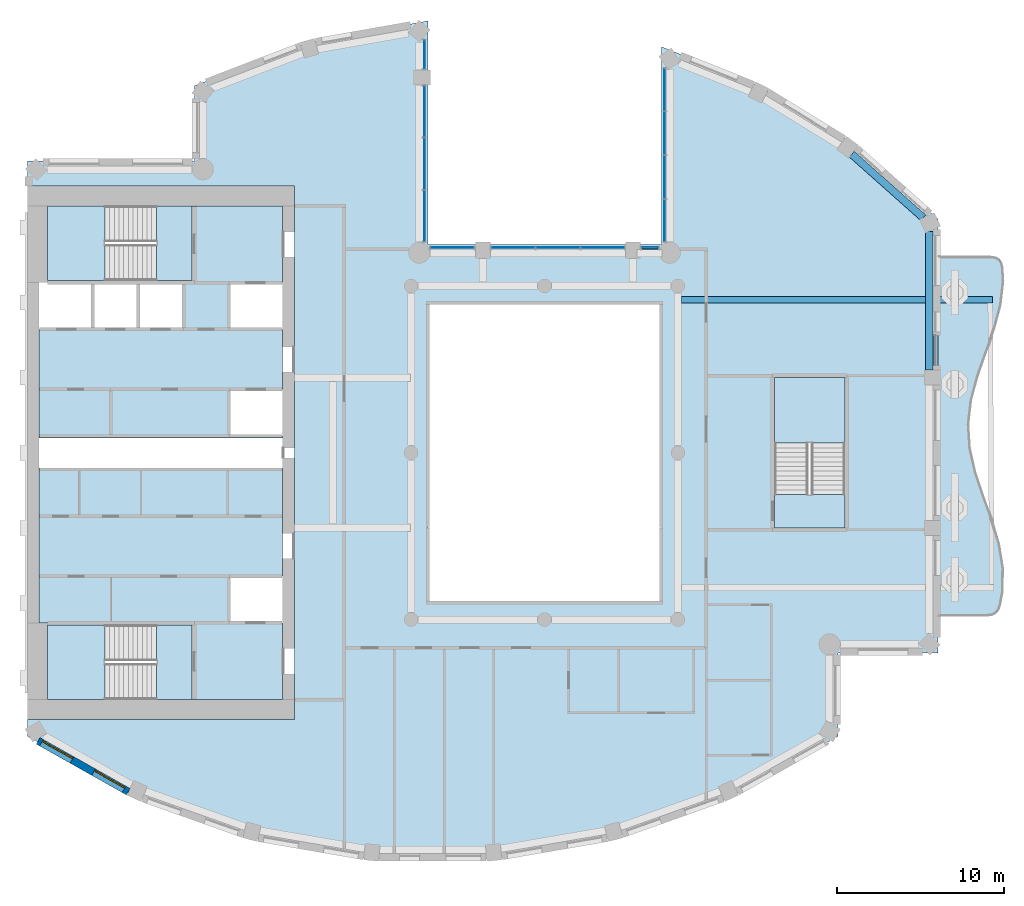
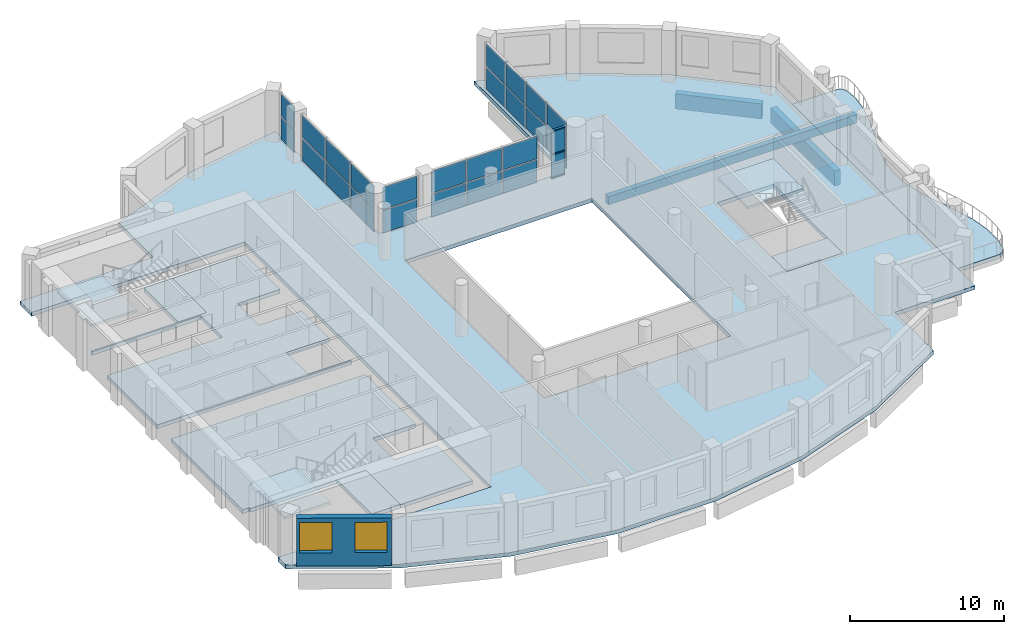
# One storey, part 3 of 14: 26 plates, 10 slabs, 3 beams, 3 members, 2 windows, 1 wall, 2 openings, 9 elements without a shape of their own.
"""IFC4 building model written with IfcOpenShell, lengths in metres."""

from ifc_helpers import new_model, si_unit, direction, frame, frame_2d, origin, origin_2d, place, context, subcontext, project, spatial, polyline, rectangle, outline, extrude, material, layer, layer_set, material_profile, profile_set, type_object, element, fill, aggregate, save


model = new_model("IFC4")

# Units and contexts
model_context = context("Model", 3, precision=1e-05, world=origin(), true_north=direction((0.0, 1.0)))
body_context = subcontext(model_context, "Body", "Model", "MODEL_VIEW")
ifc_project = project(units=[si_unit("LENGTHUNIT", "METRE"), si_unit("AREAUNIT", "SQUARE_METRE"), si_unit("VOLUMEUNIT", "CUBIC_METRE"), si_unit("PLANEANGLEUNIT", "RADIAN"), si_unit("MASSUNIT", "GRAM", prefix="KILO")], contexts=[model_context])

# Site, building, storey
site_placement = place(None, origin())
site = spatial("IfcSite", under=ifc_project, at=site_placement, CompositionType="ELEMENT")
building_placement = place(site_placement, origin())
building = spatial("IfcBuilding", under=site, at=building_placement, Name="Cypress Arch Tower", CompositionType="ELEMENT")
storey_placement = place(building_placement, frame((0.0, 0.0, 268.0)))
storey = spatial("IfcBuildingStorey", under=building, at=storey_placement, Name="L60", CompositionType="ELEMENT", Elevation=268.0)

# Beams
ifc_material_1 = material(Name="Concrete C50/60", Category="concrete")
ifc_material_profile_1 = material_profile(ifc_material_1, rectangle(XDim=0.39990234375, YDim=0.64990234375, at=origin_2d()), Name="RC 400x650")
ifc_profile_set_1 = profile_set([ifc_material_profile_1], Name="Concrete C50/60")
beam_type_1 = type_object("IfcBeamType", Name="Cantilever beam RC 400x650 Concrete C50/60", PredefinedType="BEAM", material=ifc_profile_set_1)
beam_1_placement = place(storey_placement, frame((9.22509765625, 9.1826171875, -0.625), z_axis=(1.0, 0.0, 0.0), x_axis=(0.0, 1.0, 0.0)))
element("IfcBeam", 1, at=beam_1_placement, inside=storey, type_object=beam_type_1, Name="Cantilever beam L60 C17 2", PredefinedType="BEAM", context=body_context, shape_type="SweptSolid", body=[
    extrude(rectangle(XDim=0.39990234375, YDim=0.64990234375, at=origin_2d()), origin(), (0.0, 0.0, 1.0), 18.645751953125),
])
ifc_material_2 = material(Name="Concrete C50/60", Category="concrete")
ifc_material_profile_2 = material_profile(ifc_material_2, rectangle(XDim=0.449951171875, YDim=1.199951171875, at=origin_2d()), Name="RC 450x1200")
ifc_profile_set_2 = profile_set([ifc_material_profile_2], Name="Concrete C50/60")
beam_type_2 = type_object("IfcBeamType", Name="Spandrel beam RC 450x1200 Concrete C50/60", PredefinedType="SPANDREL", material=ifc_profile_set_2)
beam_2_placement = place(storey_placement, frame((24.074951171875, 4.949951171875, -1.550048828125), z_axis=(0.0, 1.0, 0.0), x_axis=(-1.0, 0.0, 0.0)))
element("IfcBeam", 2, at=beam_2_placement, inside=storey, type_object=beam_type_2, Name="Spandrel beam L60 BC17-2", PredefinedType="SPANDREL", context=body_context, shape_type="SweptSolid", body=[
    extrude(rectangle(XDim=0.449951171875, YDim=1.199951171875, at=origin_2d()), origin(), (0.0, 0.0, 1.0), 8.32080078125),
])
beam_3_placement = place(storey_placement, frame((23.706298828125, 14.091796875, -1.550048828125), z_axis=(-0.747555073917, 0.664199827959, 0.0), x_axis=(-0.664199827959, -0.747555073917, 0.0)))
element("IfcBeam", 3, at=beam_3_placement, inside=storey, type_object=beam_type_2, Name="Spandrel beam L60 BC18-0", PredefinedType="SPANDREL", context=body_context, shape_type="SweptSolid", body=[
    extrude(rectangle(XDim=0.449951171875, YDim=1.199951171875, at=origin_2d()), origin(), (0.0, 0.0, 1.0), 5.72900390625),
])

# Curtain wall, members
ifc_material_3 = material(Name="Anodised aluminium, bronze finish, clear laminated double glazing", Category="aluminium")
curtain_wall_type = type_object("IfcCurtainWallType", Name="Curtain wall CW7 slot glazing", PredefinedType="NOTDEFINED", material=ifc_material_3)
curtain_wall_1_placement = place(storey_placement, origin())
curtain_wall_1 = element("IfcCurtainWall", 4, at=curtain_wall_1_placement, inside=storey, type_object=curtain_wall_type, Name="Curtain wall L60 slot C01.0", PredefinedType="NOTDEFINED")
ifc_material_4 = material(Name="Anodised aluminium, bronze finish", Category="aluminium")
ifc_material_profile_3 = material_profile(ifc_material_4, rectangle(XDim=0.179931640625, YDim=0.0849609375, at=origin_2d()), Name="Transom 85x180")
ifc_profile_set_3 = profile_set([ifc_material_profile_3], Name="Anodised aluminium, bronze finish")
member_type = type_object("IfcMemberType", Name="Transom CW7 85x180", PredefinedType="USERDEFINED", material=ifc_profile_set_3)
member_1_placement = place(storey_placement, frame((7.8134765625, 12.300048828125, 0.04248046875), z_axis=(-1.0, 0.0, 0.0), x_axis=(0.0, -1.0, 0.0)))
member_1 = element("IfcMember", 5, at=member_1_placement, type_object=member_type, Name="CW7 transom 1.1", ObjectType="TRANSOM", PredefinedType="USERDEFINED", context=body_context, shape_type="SweptSolid", body=[
    extrude(rectangle(XDim=0.179931640625, YDim=0.0849609375, at=origin_2d()), origin(), (0.0, 0.0, 1.0), 0.978515625),
])
member_2_placement = place(storey_placement, frame((7.8134765625, 12.300048828125, 1.89990234375), z_axis=(-1.0, 0.0, 0.0), x_axis=(0.0, -1.0, 0.0)))
member_2 = element("IfcMember", 6, at=member_2_placement, type_object=member_type, Name="CW7 transom 1.2", ObjectType="TRANSOM", PredefinedType="USERDEFINED", context=body_context, shape_type="SweptSolid", body=[
    extrude(rectangle(XDim=0.179931640625, YDim=0.0849609375, at=origin_2d()), origin(), (0.0, 0.0, 1.0), 0.978515625),
])
member_3_placement = place(storey_placement, frame((7.8134765625, 12.300048828125, 3.757568359375), z_axis=(-1.0, 0.0, 0.0), x_axis=(0.0, -1.0, 0.0)))
member_3 = element("IfcMember", 7, at=member_3_placement, type_object=member_type, Name="CW7 transom 1.3", ObjectType="TRANSOM", PredefinedType="USERDEFINED", context=body_context, shape_type="SweptSolid", body=[
    extrude(rectangle(XDim=0.179931640625, YDim=0.0849609375, at=origin_2d()), origin(), (0.0, 0.0, 1.0), 0.978515625),
])

# Slabs
ifc_material_5 = material(Name="Concrete C40/50", Category="concrete")
ifc_layer_1 = layer(ifc_material_5, 0.300048828125)
ifc_layer_set_1 = layer_set([ifc_layer_1], Name="Balcony slab BS300")
slab_type_1 = type_object("IfcSlabType", Name="Balcony slab BS300", PredefinedType="USERDEFINED", material=ifc_layer_set_1)
slab_1_placement = place(storey_placement, frame((0.0, 0.0, -0.300048828125)))
element("IfcSlab", 8, at=slab_1_placement, inside=storey, type_object=slab_type_1, Name="Balcony slab L60-C17", ObjectType="BALCONY SLAB", PredefinedType="USERDEFINED", context=body_context, shape_type="SweptSolid", body=[
    extrude(outline(polyline([(24.60009765625, -9.75), (27.53662109375, -9.75), (27.8310546875, -9.709716796875), (28.058349609375, -9.5888671875), (28.218505859375, -9.38720703125), (28.311767578125, -9.10498046875), (28.45751953125, -8.316650390625), (28.475830078125, -6.88330078125), (28.242431640625, -5.449951171875), (27.81494140625, -4.0166015625), (27.2978515625, -2.583251953125), (26.818115234375, -1.14990234375), (26.4931640625, 0.283447265625), (26.403076171875, 1.716552734375), (26.5693359375, 3.14990234375), (26.95166015625, 4.583251953125), (27.4560546875, 6.0166015625), (27.958984375, 7.449951171875), (28.337158203125, 8.88330078125), (28.497802734375, 10.316650390625), (28.44482421875, 11.10498046875), (28.385498046875, 11.38720703125), (28.250732421875, 11.5888671875), (28.040771484375, 11.709716796875), (27.755126953125, 11.75), (24.60009765625, 11.75), (24.60009765625, -9.75)])), origin(), (0.0, 0.0, 1.0), 0.300048828125),
])
ifc_material_6 = material(Name="Concrete C40/50", Category="concrete")
ifc_layer_2 = layer(ifc_material_6, 0.300048828125)
ifc_layer_set_2 = layer_set([ifc_layer_2], Name="Core floor CF300")
slab_type_2 = type_object("IfcSlabType", Name="Core floor CF300", PredefinedType="FLOOR", material=ifc_layer_set_2)
slab_2_placement = place(storey_placement, frame((0.0, 0.0, -0.300048828125)))
element("IfcSlab", 9, at=slab_2_placement, inside=storey, type_object=slab_type_2, Name="Core floor", PredefinedType="FLOOR", context=body_context, shape_type="SweptSolid", body=[
    extrude(outline(polyline([(-28.89990234375, -10.199951171875), (-29.300048828125, -10.199951171875), (-29.300048828125, -0.89990234375), (-28.89990234375, -0.89990234375), (-15.10009765625, -0.89990234375), (-14.699951171875, -0.89990234375), (-14.699951171875, -7.39990234375), (-15.10009765625, -7.39990234375), (-17.919921875, -7.39990234375), (-17.919921875, -10.199951171875), (-15.10009765625, -10.199951171875), (-14.699951171875, -10.199951171875), (-14.699951171875, -14.800048828125), (-15.10009765625, -14.800048828125), (-20.125, -14.800048828125), (-20.125, -10.324951171875), (-22.27490234375, -10.324951171875), (-28.800048828125, -10.324951171875), (-28.800048828125, -10.199951171875), (-28.89990234375, -10.199951171875)])), origin(), (0.0, 0.0, 1.0), 0.300048828125),
])
slab_3_placement = place(storey_placement, frame((0.0, 0.0, -0.300048828125)))
element("IfcSlab", 10, at=slab_3_placement, inside=storey, type_object=slab_type_2, Name="Core floor", PredefinedType="FLOOR", context=body_context, shape_type="SweptSolid", body=[
    extrude(outline(polyline([(-22.27490234375, -10.324951171875), (-22.27490234375, -14.800048828125), (-20.125, -14.800048828125), (-20.125, -10.324951171875), (-22.27490234375, -10.324951171875)])), origin(), (0.0, 0.0, 1.0), 0.300048828125),
])
slab_4_placement = place(storey_placement, frame((0.0, 0.0, -0.300048828125)))
element("IfcSlab", 11, at=slab_4_placement, inside=storey, type_object=slab_type_2, Name="Core floor", PredefinedType="FLOOR", context=body_context, shape_type="SweptSolid", body=[
    extrude(outline(polyline([(-20.125, 14.800048828125), (-22.27490234375, 14.800048828125), (-22.27490234375, 10.324951171875), (-20.125, 10.324951171875), (-20.125, 14.800048828125)])), origin(), (0.0, 0.0, 1.0), 0.300048828125),
])
slab_5_placement = place(storey_placement, frame((0.0, 0.0, -0.300048828125)))
element("IfcSlab", 12, at=slab_5_placement, inside=storey, type_object=slab_type_2, Name="Stair floor landing", PredefinedType="FLOOR", context=body_context, shape_type="SweptSolid", body=[
    extrude(outline(polyline([(19.0, -4.5), (19.0, -2.5), (14.800048828125, -2.5), (14.800048828125, -4.5), (19.0, -4.5)])), origin(), (0.0, 0.0, 1.0), 0.300048828125),
])
slab_6_placement = place(storey_placement, frame((0.0, 0.0, -0.300048828125)))
element("IfcSlab", 13, at=slab_6_placement, inside=storey, type_object=slab_type_2, Name="Core floor", PredefinedType="FLOOR", context=body_context, shape_type="SweptSolid", body=[
    extrude(outline(polyline([(-20.639892578125, 10.199951171875), (-23.360107421875, 10.199951171875), (-26.080078125, 10.199951171875), (-28.800048828125, 10.199951171875), (-28.800048828125, 10.324951171875), (-22.27490234375, 10.324951171875), (-20.125, 10.324951171875), (-20.125, 14.800048828125), (-15.10009765625, 14.800048828125), (-14.699951171875, 14.800048828125), (-14.699951171875, 10.199951171875), (-15.10009765625, 10.199951171875), (-17.919921875, 10.199951171875), (-17.919921875, 7.39990234375), (-15.10009765625, 7.39990234375), (-14.699951171875, 7.39990234375), (-14.699951171875, 3.800048828125), (-15.10009765625, 3.800048828125), (-17.919921875, 3.800048828125), (-17.919921875, 1.5), (-17.919921875, 1.0), (-17.5, 1.0), (-15.10009765625, 1.0), (-14.699951171875, 1.0), (-14.699951171875, 0.89990234375), (-15.10009765625, 0.89990234375), (-17.5, 0.89990234375), (-18.300048828125, 0.89990234375), (-28.89990234375, 0.89990234375), (-29.300048828125, 0.89990234375), (-29.300048828125, 1.5), (-29.300048828125, 7.39990234375), (-28.89990234375, 7.39990234375), (-26.080078125, 7.39990234375), (-23.360107421875, 7.39990234375), (-20.639892578125, 7.39990234375), (-20.639892578125, 10.199951171875)])), origin(), (0.0, 0.0, 1.0), 0.300048828125),
])

# Curtain wall, plates
curtain_wall_2_placement = place(storey_placement, origin())
curtain_wall_2 = element("IfcCurtainWall", 14, at=curtain_wall_2_placement, inside=storey, type_object=curtain_wall_type, Name="Curtain wall L60 slot C00.0", PredefinedType="NOTDEFINED")
ifc_material_7 = material(Name="Clear laminated double glazing", Category="glass")
ifc_layer_3 = layer(ifc_material_7, 0.0439453125)
ifc_layer_set_3 = layer_set([ifc_layer_3], Name="Glass panel CW7 44")
plate_type = type_object("IfcPlateType", Name="Glass panel CW7 44", PredefinedType="CURTAIN_PANEL", material=ifc_layer_set_3)
plate_1_placement = place(storey_placement, frame((8.199951171875, 21.768798828125, 0.0849609375), z_axis=(0.0, 0.0, 1.0), x_axis=(0.0, -1.0, 0.0)))
plate_1 = element("IfcPlate", 15, at=plate_1_placement, type_object=plate_type, Name="CW7 panel 1.1", PredefinedType="CURTAIN_PANEL", context=body_context, shape_type="SweptSolid", body=[
    extrude(rectangle(XDim=2.497802734375, YDim=0.0439453125, at=origin_2d()), origin(), (0.0, 0.0, 1.0), 1.7724609375),
])
plate_2_placement = place(storey_placement, frame((8.199951171875, 21.768798828125, 1.942626953125), z_axis=(0.0, 0.0, 1.0), x_axis=(0.0, -1.0, 0.0)))
plate_2 = element("IfcPlate", 16, at=plate_2_placement, type_object=plate_type, Name="CW7 panel 1.2", PredefinedType="CURTAIN_PANEL", context=body_context, shape_type="SweptSolid", body=[
    extrude(rectangle(XDim=2.497802734375, YDim=0.0439453125, at=origin_2d()), origin(), (0.0, 0.0, 1.0), 1.7724609375),
])
plate_3_placement = place(storey_placement, frame((8.199951171875, 19.164794921875, 0.0849609375), z_axis=(0.0, 0.0, 1.0), x_axis=(0.0, -1.0, 0.0)))
plate_3 = element("IfcPlate", 17, at=plate_3_placement, type_object=plate_type, Name="CW7 panel 2.1", PredefinedType="CURTAIN_PANEL", context=body_context, shape_type="SweptSolid", body=[
    extrude(rectangle(XDim=2.540283203125, YDim=0.0439453125, at=origin_2d()), origin(), (0.0, 0.0, 1.0), 1.7724609375),
])
plate_4_placement = place(storey_placement, frame((8.199951171875, 19.164794921875, 1.942626953125), z_axis=(0.0, 0.0, 1.0), x_axis=(0.0, -1.0, 0.0)))
plate_4 = element("IfcPlate", 18, at=plate_4_placement, type_object=plate_type, Name="CW7 panel 2.2", PredefinedType="CURTAIN_PANEL", context=body_context, shape_type="SweptSolid", body=[
    extrude(rectangle(XDim=2.540283203125, YDim=0.0439453125, at=origin_2d()), origin(), (0.0, 0.0, 1.0), 1.7724609375),
])
plate_5_placement = place(storey_placement, frame((8.199951171875, 16.53955078125, 0.0849609375), z_axis=(0.0, 0.0, 1.0), x_axis=(0.0, -1.0, 0.0)))
plate_5 = element("IfcPlate", 19, at=plate_5_placement, type_object=plate_type, Name="CW7 panel 3.1", PredefinedType="CURTAIN_PANEL", context=body_context, shape_type="SweptSolid", body=[
    extrude(rectangle(XDim=2.540283203125, YDim=0.0439453125, at=origin_2d()), origin(), (0.0, 0.0, 1.0), 1.7724609375),
])
plate_6_placement = place(storey_placement, frame((8.199951171875, 16.53955078125, 1.942626953125), z_axis=(0.0, 0.0, 1.0), x_axis=(0.0, -1.0, 0.0)))
plate_6 = element("IfcPlate", 20, at=plate_6_placement, type_object=plate_type, Name="CW7 panel 3.2", PredefinedType="CURTAIN_PANEL", context=body_context, shape_type="SweptSolid", body=[
    extrude(rectangle(XDim=2.540283203125, YDim=0.0439453125, at=origin_2d()), origin(), (0.0, 0.0, 1.0), 1.7724609375),
])
plate_7_placement = place(storey_placement, frame((8.199951171875, 13.935302734375, 0.0849609375), z_axis=(0.0, 0.0, 1.0), x_axis=(0.0, -1.0, 0.0)))
plate_7 = element("IfcPlate", 21, at=plate_7_placement, type_object=plate_type, Name="CW7 panel 4.1", PredefinedType="CURTAIN_PANEL", context=body_context, shape_type="SweptSolid", body=[
    extrude(rectangle(XDim=2.497802734375, YDim=0.0439453125, at=origin_2d()), origin(), (0.0, 0.0, 1.0), 1.7724609375),
])
plate_8_placement = place(storey_placement, frame((8.199951171875, 13.935302734375, 1.942626953125), z_axis=(0.0, 0.0, 1.0), x_axis=(0.0, -1.0, 0.0)))
plate_8 = element("IfcPlate", 22, at=plate_8_placement, type_object=plate_type, Name="CW7 panel 4.2", PredefinedType="CURTAIN_PANEL", context=body_context, shape_type="SweptSolid", body=[
    extrude(rectangle(XDim=2.497802734375, YDim=0.0439453125, at=origin_2d()), origin(), (0.0, 0.0, 1.0), 1.7724609375),
])
aggregate(curtain_wall_2, [plate_1, plate_2, plate_3, plate_4, plate_5, plate_6, plate_7, plate_8])

# Plate
plate_9_placement = place(storey_placement, frame((7.32421875, 12.300048828125, 0.0849609375), z_axis=(0.0, 0.0, 1.0), x_axis=(-1.0, 0.0, 0.0)))
plate_9 = element("IfcPlate", 23, at=plate_9_placement, type_object=plate_type, Name="CW7 panel 1.1", PredefinedType="CURTAIN_PANEL", context=body_context, shape_type="SweptSolid", body=[
    extrude(rectangle(XDim=0.978515625, YDim=0.0439453125, at=origin_2d()), origin(), (0.0, 0.0, 1.0), 1.7724609375),
])

plate_10_placement = place(storey_placement, frame((7.32421875, 12.300048828125, 1.942626953125), z_axis=(0.0, 0.0, 1.0), x_axis=(-1.0, 0.0, 0.0)))
plate_10 = element("IfcPlate", 24, at=plate_10_placement, type_object=plate_type, Name="CW7 panel 1.2", PredefinedType="CURTAIN_PANEL", context=body_context, shape_type="SweptSolid", body=[
    extrude(rectangle(XDim=0.978515625, YDim=0.0439453125, at=origin_2d()), origin(), (0.0, 0.0, 1.0), 1.7724609375),
])

aggregate(curtain_wall_1, [member_1, member_2, member_3, plate_9, plate_10])

# Curtain wall, plates
curtain_wall_3_placement = place(storey_placement, origin())
curtain_wall_3 = element("IfcCurtainWall", 25, at=curtain_wall_3_placement, inside=storey, type_object=curtain_wall_type, Name="Curtain wall L60 slot C01.1", PredefinedType="NOTDEFINED")
plate_11_placement = place(storey_placement, frame((4.478759765625, 12.300048828125, 0.0849609375), z_axis=(0.0, 0.0, 1.0), x_axis=(-1.0, 0.0, 0.0)))
plate_11 = element("IfcPlate", 26, at=plate_11_placement, type_object=plate_type, Name="CW7 panel 1.1", PredefinedType="CURTAIN_PANEL", context=body_context, shape_type="SweptSolid", body=[
    extrude(rectangle(XDim=2.572509765625, YDim=0.0439453125, at=origin_2d()), origin(), (0.0, 0.0, 1.0), 1.7724609375),
])
plate_12_placement = place(storey_placement, frame((4.478759765625, 12.300048828125, 1.942626953125), z_axis=(0.0, 0.0, 1.0), x_axis=(-1.0, 0.0, 0.0)))
plate_12 = element("IfcPlate", 27, at=plate_12_placement, type_object=plate_type, Name="CW7 panel 1.2", PredefinedType="CURTAIN_PANEL", context=body_context, shape_type="SweptSolid", body=[
    extrude(rectangle(XDim=2.572509765625, YDim=0.0439453125, at=origin_2d()), origin(), (0.0, 0.0, 1.0), 1.7724609375),
])
plate_13_placement = place(storey_placement, frame((1.800048828125, 12.300048828125, 0.0849609375), z_axis=(0.0, 0.0, 1.0), x_axis=(-1.0, 0.0, 0.0)))
plate_13 = element("IfcPlate", 28, at=plate_13_placement, type_object=plate_type, Name="CW7 panel 2.1", PredefinedType="CURTAIN_PANEL", context=body_context, shape_type="SweptSolid", body=[
    extrude(rectangle(XDim=2.614990234375, YDim=0.0439453125, at=origin_2d()), origin(), (0.0, 0.0, 1.0), 1.7724609375),
])
plate_14_placement = place(storey_placement, frame((1.800048828125, 12.300048828125, 1.942626953125), z_axis=(0.0, 0.0, 1.0), x_axis=(-1.0, 0.0, 0.0)))
plate_14 = element("IfcPlate", 29, at=plate_14_placement, type_object=plate_type, Name="CW7 panel 2.2", PredefinedType="CURTAIN_PANEL", context=body_context, shape_type="SweptSolid", body=[
    extrude(rectangle(XDim=2.614990234375, YDim=0.0439453125, at=origin_2d()), origin(), (0.0, 0.0, 1.0), 1.7724609375),
])
plate_15_placement = place(storey_placement, frame((-0.878662109375, 12.300048828125, 0.0849609375), z_axis=(0.0, 0.0, 1.0), x_axis=(-1.0, 0.0, 0.0)))
plate_15 = element("IfcPlate", 30, at=plate_15_placement, type_object=plate_type, Name="CW7 panel 3.1", PredefinedType="CURTAIN_PANEL", context=body_context, shape_type="SweptSolid", body=[
    extrude(rectangle(XDim=2.572509765625, YDim=0.0439453125, at=origin_2d()), origin(), (0.0, 0.0, 1.0), 1.7724609375),
])
plate_16_placement = place(storey_placement, frame((-0.878662109375, 12.300048828125, 1.942626953125), z_axis=(0.0, 0.0, 1.0), x_axis=(-1.0, 0.0, 0.0)))
plate_16 = element("IfcPlate", 31, at=plate_16_placement, type_object=plate_type, Name="CW7 panel 3.2", PredefinedType="CURTAIN_PANEL", context=body_context, shape_type="SweptSolid", body=[
    extrude(rectangle(XDim=2.572509765625, YDim=0.0439453125, at=origin_2d()), origin(), (0.0, 0.0, 1.0), 1.7724609375),
])
aggregate(curtain_wall_3, [plate_11, plate_12, plate_13, plate_14, plate_15, plate_16])

curtain_wall_4_placement = place(storey_placement, origin())
curtain_wall_4 = element("IfcCurtainWall", 32, at=curtain_wall_4_placement, inside=storey, type_object=curtain_wall_type, Name="Curtain wall L60 slot C01.2", PredefinedType="NOTDEFINED")
plate_17_placement = place(storey_placement, frame((-4.524169921875, 12.300048828125, 0.0849609375), z_axis=(0.0, 0.0, 1.0), x_axis=(-1.0, 0.0, 0.0)))
plate_17 = element("IfcPlate", 33, at=plate_17_placement, type_object=plate_type, Name="CW7 panel 1.1", PredefinedType="CURTAIN_PANEL", context=body_context, shape_type="SweptSolid", body=[
    extrude(rectangle(XDim=2.57861328125, YDim=0.0439453125, at=origin_2d()), origin(), (0.0, 0.0, 1.0), 1.7724609375),
])
plate_18_placement = place(storey_placement, frame((-4.524169921875, 12.300048828125, 1.942626953125), z_axis=(0.0, 0.0, 1.0), x_axis=(-1.0, 0.0, 0.0)))
plate_18 = element("IfcPlate", 34, at=plate_18_placement, type_object=plate_type, Name="CW7 panel 1.2", PredefinedType="CURTAIN_PANEL", context=body_context, shape_type="SweptSolid", body=[
    extrude(rectangle(XDim=2.57861328125, YDim=0.0439453125, at=origin_2d()), origin(), (0.0, 0.0, 1.0), 1.7724609375),
])
aggregate(curtain_wall_4, [plate_17, plate_18])

curtain_wall_5_placement = place(storey_placement, origin())
curtain_wall_5 = element("IfcCurtainWall", 35, at=curtain_wall_5_placement, inside=storey, type_object=curtain_wall_type, Name="Curtain wall L60 slot C02.0", PredefinedType="NOTDEFINED")
plate_19_placement = place(storey_placement, frame((-6.199951171875, 14.197509765625, 0.0849609375), z_axis=(0.0, 0.0, 1.0), x_axis=(0.0, 1.0, 0.0)))
plate_19 = element("IfcPlate", 36, at=plate_19_placement, type_object=plate_type, Name="CW7 panel 1.1", PredefinedType="CURTAIN_PANEL", context=body_context, shape_type="SweptSolid", body=[
    extrude(rectangle(XDim=3.02197265625, YDim=0.0439453125, at=origin_2d()), origin(), (0.0, 0.0, 1.0), 1.7724609375),
])
plate_20_placement = place(storey_placement, frame((-6.199951171875, 14.197509765625, 1.942626953125), z_axis=(0.0, 0.0, 1.0), x_axis=(0.0, 1.0, 0.0)))
plate_20 = element("IfcPlate", 37, at=plate_20_placement, type_object=plate_type, Name="CW7 panel 1.2", PredefinedType="CURTAIN_PANEL", context=body_context, shape_type="SweptSolid", body=[
    extrude(rectangle(XDim=3.02197265625, YDim=0.0439453125, at=origin_2d()), origin(), (0.0, 0.0, 1.0), 1.7724609375),
])
plate_21_placement = place(storey_placement, frame((-6.199951171875, 17.32568359375, 0.0849609375), z_axis=(0.0, 0.0, 1.0), x_axis=(0.0, 1.0, 0.0)))
plate_21 = element("IfcPlate", 38, at=plate_21_placement, type_object=plate_type, Name="CW7 panel 2.1", PredefinedType="CURTAIN_PANEL", context=body_context, shape_type="SweptSolid", body=[
    extrude(rectangle(XDim=3.064453125, YDim=0.0439453125, at=origin_2d()), origin(), (0.0, 0.0, 1.0), 1.7724609375),
])
plate_22_placement = place(storey_placement, frame((-6.199951171875, 17.32568359375, 1.942626953125), z_axis=(0.0, 0.0, 1.0), x_axis=(0.0, 1.0, 0.0)))
plate_22 = element("IfcPlate", 39, at=plate_22_placement, type_object=plate_type, Name="CW7 panel 2.2", PredefinedType="CURTAIN_PANEL", context=body_context, shape_type="SweptSolid", body=[
    extrude(rectangle(XDim=3.064453125, YDim=0.0439453125, at=origin_2d()), origin(), (0.0, 0.0, 1.0), 1.7724609375),
])
plate_23_placement = place(storey_placement, frame((-6.199951171875, 20.4541015625, 0.0849609375), z_axis=(0.0, 0.0, 1.0), x_axis=(0.0, 1.0, 0.0)))
plate_23 = element("IfcPlate", 40, at=plate_23_placement, type_object=plate_type, Name="CW7 panel 3.1", PredefinedType="CURTAIN_PANEL", context=body_context, shape_type="SweptSolid", body=[
    extrude(rectangle(XDim=3.02197265625, YDim=0.0439453125, at=origin_2d()), origin(), (0.0, 0.0, 1.0), 1.7724609375),
])
plate_24_placement = place(storey_placement, frame((-6.199951171875, 20.4541015625, 1.942626953125), z_axis=(0.0, 0.0, 1.0), x_axis=(0.0, 1.0, 0.0)))
plate_24 = element("IfcPlate", 41, at=plate_24_placement, type_object=plate_type, Name="CW7 panel 3.2", PredefinedType="CURTAIN_PANEL", context=body_context, shape_type="SweptSolid", body=[
    extrude(rectangle(XDim=3.02197265625, YDim=0.0439453125, at=origin_2d()), origin(), (0.0, 0.0, 1.0), 1.7724609375),
])
aggregate(curtain_wall_5, [plate_19, plate_20, plate_21, plate_22, plate_23, plate_24])

curtain_wall_6_placement = place(storey_placement, origin())
curtain_wall_6 = element("IfcCurtainWall", 42, at=curtain_wall_6_placement, inside=storey, type_object=curtain_wall_type, Name="Curtain wall L60 slot C02.1", PredefinedType="NOTDEFINED")
plate_25_placement = place(storey_placement, frame((-6.199951171875, 23.89111328125, 0.0849609375), z_axis=(0.0, 0.0, 1.0), x_axis=(0.0, 1.0, 0.0)))
plate_25 = element("IfcPlate", 43, at=plate_25_placement, type_object=plate_type, Name="CW7 panel 1.1", PredefinedType="CURTAIN_PANEL", context=body_context, shape_type="SweptSolid", body=[
    extrude(rectangle(XDim=1.71240234375, YDim=0.0439453125, at=origin_2d()), origin(), (0.0, 0.0, 1.0), 1.7724609375),
])
plate_26_placement = place(storey_placement, frame((-6.199951171875, 23.89111328125, 1.942626953125), z_axis=(0.0, 0.0, 1.0), x_axis=(0.0, 1.0, 0.0)))
plate_26 = element("IfcPlate", 44, at=plate_26_placement, type_object=plate_type, Name="CW7 panel 1.2", PredefinedType="CURTAIN_PANEL", context=body_context, shape_type="SweptSolid", body=[
    extrude(rectangle(XDim=1.71240234375, YDim=0.0439453125, at=origin_2d()), origin(), (0.0, 0.0, 1.0), 1.7724609375),
])
aggregate(curtain_wall_6, [plate_25, plate_26])

# Slab
ifc_material_8 = material(Name="Concrete C40/50", Category="concrete")
ifc_layer_4 = layer(ifc_material_8, 0.300048828125)
ifc_layer_set_4 = layer_set([ifc_layer_4], Name="PT flat slab 300 Concrete C40/50")
slab_type_3 = type_object("IfcSlabType", Name="PT flat slab 300 Concrete C40/50", PredefinedType="FLOOR", material=ifc_layer_set_4)
slab_7_placement = place(storey_placement, frame((0.0, 0.0, -0.300048828125)))
element("IfcSlab", 45, at=slab_7_placement, inside=storey, type_object=slab_type_3, Name="Floor slab L60", PredefinedType="FLOOR", context=body_context, shape_type="SweptSolid", body=[
    extrude(outline(polyline([(-30.0, 17.5), (-20.0, 17.5), (-20.0, 22.0), (-13.199951171875, 24.6201171875), (-6.0, 25.889892578125), (-6.0, 12.5), (8.0, 12.5), (8.0, 24.35009765625), (14.0, 21.93994140625), (19.39990234375, 18.6201171875), (24.60009765625, 14.0), (24.60009765625, -12.0), (18.60009765625, -12.0), (18.60009765625, -17.0), (12.179931640625, -20.6201171875), (5.239990234375, -23.090087890625), (-2.02001953125, -24.340087890625), (-9.3798828125, -24.340087890625), (-16.639892578125, -23.090087890625), (-23.580078125, -20.6201171875), (-30.0, -17.0), (-30.0, -16.0), (-14.0, -16.0), (-14.0, 16.0), (-30.0, 16.0), (-30.0, 17.5)]), holes=[polyline([(-6.0, -9.0), (8.0, -9.0), (8.0, 9.0), (-6.0, 9.0), (-6.0, -9.0)]), polyline([(14.800048828125, -4.5), (19.0, -4.5), (19.0, 4.5), (14.800048828125, 4.5), (14.800048828125, -4.5)])]), origin(), (0.0, 0.0, 1.0), 0.300048828125),
])

# Stair, slab
ifc_material_9 = material(Name="Concrete C40/50", Category="concrete")
stair_type_1 = type_object("IfcStairType", Name="Exit stair ES1708-215", PredefinedType="HALF_TURN_STAIR", material=ifc_material_9)
stair_1_placement = place(storey_placement, origin())
stair_1 = element("IfcStair", 46, at=stair_1_placement, inside=storey, type_object=stair_type_1, Name="L60 Exit stair A", PredefinedType="HALF_TURN_STAIR")
ifc_material_10 = material(Name="Concrete C40/50", Category="concrete")
ifc_layer_5 = layer(ifc_material_10, 0.199951171875)
ifc_layer_set_5 = layer_set([ifc_layer_5], Name="Stair landing SL200")
slab_type_4 = type_object("IfcSlabType", Name="Stair landing SL200", PredefinedType="LANDING", material=ifc_layer_set_5)
slab_8_placement = place(storey_placement, frame((0.0, 0.0, 1.85009765625)))
slab_8 = element("IfcSlab", 47, at=slab_8_placement, type_object=slab_type_4, Name="A landing 1", PredefinedType="LANDING", context=body_context, shape_type="SweptSolid", body=[
    extrude(outline(polyline([(-25.35498046875, -10.324951171875), (-28.800048828125, -10.324951171875), (-28.800048828125, -14.800048828125), (-25.35498046875, -14.800048828125), (-25.35498046875, -10.324951171875)])), origin(), (0.0, 0.0, 1.0), 0.199951171875),
])
aggregate(stair_1, [slab_8])

stair_2_placement = place(storey_placement, origin())
stair_2 = element("IfcStair", 48, at=stair_2_placement, inside=storey, type_object=stair_type_1, Name="L60 Exit stair B", PredefinedType="HALF_TURN_STAIR")
slab_9_placement = place(storey_placement, frame((0.0, 0.0, 1.85009765625)))
slab_9 = element("IfcSlab", 49, at=slab_9_placement, type_object=slab_type_4, Name="B landing 1", PredefinedType="LANDING", context=body_context, shape_type="SweptSolid", body=[
    extrude(outline(polyline([(-25.35498046875, 14.800048828125), (-28.800048828125, 14.800048828125), (-28.800048828125, 10.324951171875), (-25.35498046875, 10.324951171875), (-25.35498046875, 14.800048828125)])), origin(), (0.0, 0.0, 1.0), 0.199951171875),
])
aggregate(stair_2, [slab_9])

ifc_material_11 = material(Name="Concrete C40/50", Category="concrete")
stair_type_2 = type_object("IfcStairType", Name="Exit stair ES1708-200", PredefinedType="HALF_TURN_STAIR", material=ifc_material_11)
stair_3_placement = place(storey_placement, origin())
stair_3 = element("IfcStair", 50, at=stair_3_placement, inside=storey, type_object=stair_type_2, Name="L60 Exit stair C", PredefinedType="HALF_TURN_STAIR")
slab_10_placement = place(storey_placement, frame((0.0, 0.0, 1.85009765625)))
slab_10 = element("IfcSlab", 51, at=slab_10_placement, type_object=slab_type_4, Name="C landing 1", PredefinedType="LANDING", context=body_context, shape_type="SweptSolid", body=[
    extrude(outline(polyline([(19.0, 0.580078125), (19.0, 4.5), (14.800048828125, 4.5), (14.800048828125, 0.580078125), (19.0, 0.580078125)])), origin(), (0.0, 0.0, 1.0), 0.199951171875),
])
aggregate(stair_3, [slab_10])

# Wall, openings, windows
ifc_material_12 = material(Name="Brick (red buff blend)", Category="masonry")
ifc_layer_6 = layer(ifc_material_12, 0.449951171875)
ifc_layer_set_6 = layer_set([ifc_layer_6], Name="Brick pier and spandrel wall BW450")
wall_type = type_object("IfcWallType", Name="Brick pier and spandrel wall BW450", PredefinedType="SOLIDWALL", material=ifc_layer_set_6)
wall_placement = place(storey_placement, frame((-29.3564453125, -17.276611328125, 0.0), z_axis=(0.0, 0.0, 1.0), x_axis=(0.871065783524, -0.491166367714, 0.0)))
wall = element("IfcWall", 52, at=wall_placement, inside=storey, type_object=wall_type, Name="Brick wall L60 C08.0", PredefinedType="SOLIDWALL", context=body_context, shape_type="SweptSolid", body=[
    extrude(rectangle(XDim=6.1962890625, YDim=0.449951171875, at=frame_2d((3.09814453125, 0.0))), origin(), (0.0, 0.0, 1.0), 3.800048828125),
])
opening_1_placement = place(wall_placement, frame((0.22119140625, 0.0, 1.050048828125)))
opening_1 = element("IfcOpeningElement", 53, at=opening_1_placement, cuts=wall, Name="Opening W210O", PredefinedType="OPENING", context=body_context, shape_type="SweptSolid", body=[
    extrude(rectangle(XDim=2.10009765625, YDim=2.39990234375, at=frame_2d((1.050048828125, 1.199951171875))), frame((0.0, 0.23486328125, 0.0), z_axis=(0.0, -1.0, 0.0), x_axis=(1.0, 0.0, 0.0)), (0.0, 0.0, 1.0), 0.469970703125),
])
opening_2_placement = place(wall_placement, frame((3.8056640625, 0.0, 1.050048828125)))
opening_2 = element("IfcOpeningElement", 54, at=opening_2_placement, cuts=wall, Name="Opening W210O", PredefinedType="OPENING", context=body_context, shape_type="SweptSolid", body=[
    extrude(rectangle(XDim=2.10009765625, YDim=2.39990234375, at=frame_2d((1.050048828125, 1.199951171875))), frame((0.0, 0.23486328125, 0.0), z_axis=(0.0, -1.0, 0.0), x_axis=(1.0, 0.0, 0.0)), (0.0, 0.0, 1.0), 0.469970703125),
])
ifc_material_13 = material(Name="Anodised aluminium, bronze finish, clear low-emissivity double glazing", Category="aluminium")
window_type = type_object("IfcWindowType", Name="Window Office 2100x2400", PartitioningType="SINGLE_PANEL", PredefinedType="WINDOW", material=ifc_material_13)
window_1_placement = place(opening_1_placement, origin())
window_1 = element("IfcWindow", 55, at=window_1_placement, inside=storey, type_object=window_type, Name="Window L60 C08.0.1", OverallHeight=2.39990234375, OverallWidth=2.10009765625, PartitioningType="SINGLE_PANEL", PredefinedType="WINDOW", context=body_context, shape_type="SweptSolid", body=[
    extrude(rectangle(XDim=2.10009765625, YDim=2.39990234375, at=frame_2d((1.050048828125, 1.199951171875))), frame((0.0, 0.135009765625, 0.0), z_axis=(0.0, -1.0, 0.0), x_axis=(1.0, 0.0, 0.0)), (0.0, 0.0, 1.0), 0.06005859375),
])
fill(opening_1, window_1)
window_2_placement = place(opening_2_placement, origin())
window_2 = element("IfcWindow", 56, at=window_2_placement, inside=storey, type_object=window_type, Name="Window L60 C08.0.2", OverallHeight=2.39990234375, OverallWidth=2.10009765625, PartitioningType="SINGLE_PANEL", PredefinedType="WINDOW", context=body_context, shape_type="SweptSolid", body=[
    extrude(rectangle(XDim=2.10009765625, YDim=2.39990234375, at=frame_2d((1.050048828125, 1.199951171875))), frame((0.0, 0.135009765625, 0.0), z_axis=(0.0, -1.0, 0.0), x_axis=(1.0, 0.0, 0.0)), (0.0, 0.0, 1.0), 0.06005859375),
])
fill(opening_2, window_2)

save(model, "model.ifc")
